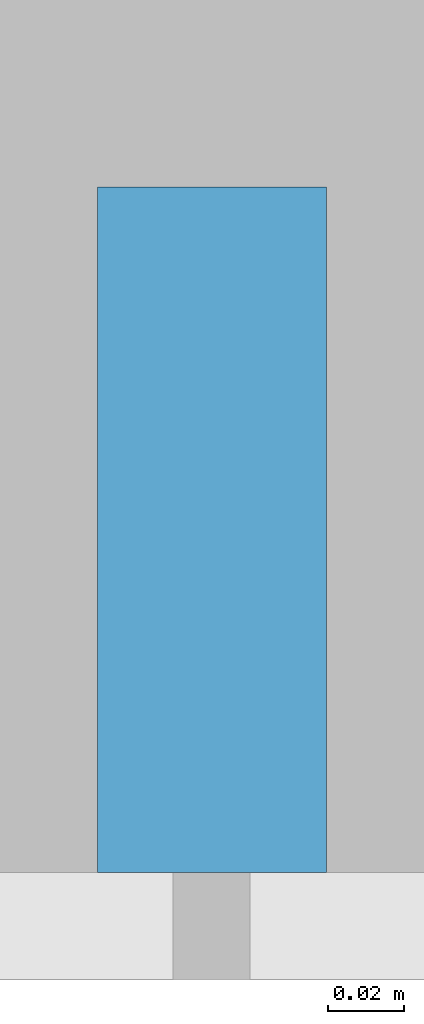
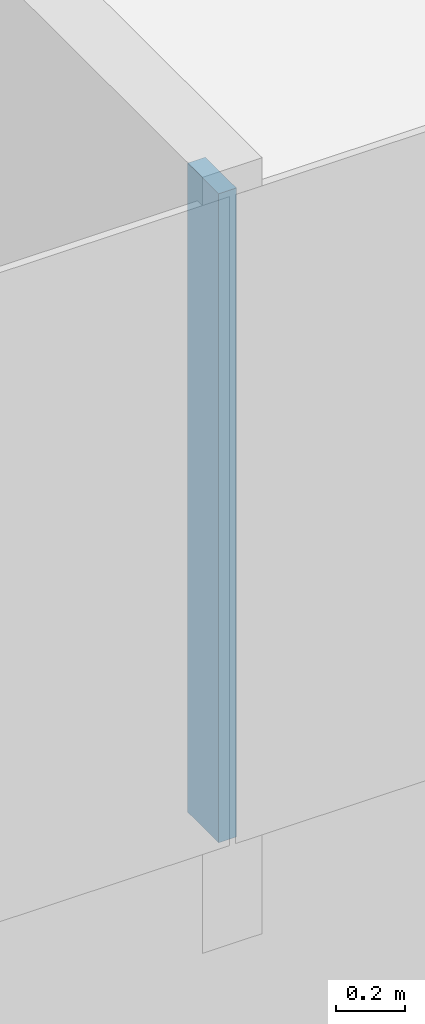
# One storey, part 3 of 26: 1 member, 1 element without a shape of its own.
"""IFC4 building model written with IfcOpenShell, lengths in metres."""

import ifcopenshell
import ifcopenshell.guid

model = None  # the IFC model being written
_history = None  # IfcOwnerHistory: only IFC2X3 demands one
_inside = {}  # id of a spatial element -> (the spatial element, [elements in it])
_under = {}  # id of a project, library or spatial element -> (it, [spatial elements below it])
_declared = {}  # id of a project -> (the project, [libraries it declares])
_typed = {}  # id of a type object -> (the type object, [elements of that type])
_made_of = {}  # id of a material, layer set ... -> (it, [elements and type objects made of it])


def new_model(schema):
    """Start an empty IFC model of exactly this schema.

    Asked for "IFC4X3", IfcOpenShell would pick the latest addendum, in which some entities
    have other attributes; the version numbers below select the first issue.
    IFC2X3 requires an IfcOwnerHistory on every rooted entity: one is made here for all.
    """
    global model, _history
    if schema == "IFC4X3":
        model = ifcopenshell.file(schema_version=(4, 3, 0, 0))
    else:
        model = ifcopenshell.file(schema=schema)
    _inside.clear()
    _under.clear()
    _declared.clear()
    _typed.clear()
    _made_of.clear()
    _history = None
    if model.schema == "IFC2X3":
        org = make("IfcOrganization", Name="unknown")
        user = make(
            "IfcPersonAndOrganization",
            ThePerson=make("IfcPerson", FamilyName="unknown"),
            TheOrganization=org,
        )
        app = make(
            "IfcApplication",
            ApplicationDeveloper=org,
            Version="unknown",
            ApplicationFullName="unknown",
            ApplicationIdentifier="unknown",
        )
        _history = make(
            "IfcOwnerHistory",
            OwningUser=user,
            OwningApplication=app,
            ChangeAction="ADDED",
            CreationDate=0,
        )
    return model


def make(cls, **values):
    """One entity of the class cls with the attributes given. An attribute that is None is left unset."""
    return model.create_entity(
        cls, **{name: value for name, value in values.items() if value is not None}
    )


def rooted(cls, **values):
    """An entity with a GlobalId (a new one), such as an element, a storey or a relation."""
    return make(cls, GlobalId=ifcopenshell.guid.new(), OwnerHistory=_history, **values)


def si_unit(unit_type, name, prefix=None):
    """IfcSIUnit, for example si_unit("LENGTHUNIT", "METRE", prefix="MILLI")."""
    return make("IfcSIUnit", UnitType=unit_type, Prefix=prefix, Name=name)


def assignment(units):
    """IfcUnitAssignment: the units of a project."""
    return None if units is None else make("IfcUnitAssignment", Units=units)


def point(xyz):
    """IfcCartesianPoint."""
    return None if xyz is None else make("IfcCartesianPoint", Coordinates=xyz)


def direction(xyz):
    """IfcDirection."""
    return None if xyz is None else make("IfcDirection", DirectionRatios=xyz)


def frame(location, z_axis=None, x_axis=None):
    """IfcAxis2Placement3D, a coordinate frame: its origin and axes. An axis left out is left unset."""
    return make(
        "IfcAxis2Placement3D",
        Location=point(location),
        Axis=direction(z_axis),
        RefDirection=direction(x_axis),
    )


def frame_2d(location, x_axis=None):
    """IfcAxis2Placement2D, a coordinate frame in the plane: its origin and x axis."""
    return make(
        "IfcAxis2Placement2D", Location=point(location), RefDirection=direction(x_axis)
    )


def origin():
    """The frame at (0, 0, 0) with its axes left unset."""
    return frame((0.0, 0.0, 0.0))


def origin_2d():
    """The frame at (0, 0) in the plane with its x axis left unset."""
    return frame_2d((0.0, 0.0))


def place(relative_to, where):
    """IfcLocalPlacement: puts the frame where relative to a parent placement (None: the world)."""
    return make(
        "IfcLocalPlacement", PlacementRelTo=relative_to, RelativePlacement=where
    )


def context(
    kind, dimensions, precision=None, world=None, true_north=None, identifier=None
):
    """IfcGeometricRepresentationContext, for example the 3D "Model" context."""
    return make(
        "IfcGeometricRepresentationContext",
        ContextIdentifier=identifier,
        ContextType=kind,
        CoordinateSpaceDimension=dimensions,
        Precision=precision,
        WorldCoordinateSystem=world,
        TrueNorth=true_north,
    )


def subcontext(parent, identifier, kind, view, scale=None):
    """IfcGeometricRepresentationSubContext, for example "Body" below "Model"."""
    return make(
        "IfcGeometricRepresentationSubContext",
        ContextIdentifier=identifier,
        ContextType=kind,
        ParentContext=parent,
        TargetScale=scale,
        TargetView=view,
    )


def project(units=None, contexts=None):
    """IfcProject with its units and contexts."""
    return rooted(
        "IfcProject",
        Name="project",
        RepresentationContexts=contexts,
        UnitsInContext=assignment(units),
    )


def spatial(cls, under=None, at=None, **own):
    """A site, building, storey or space (cls), placed at a placement, below another one or the project."""
    s = rooted(cls, ObjectPlacement=at, **own)
    if under is not None:
        _under.setdefault(under.id(), (under, []))[1].append(s)
    return s


def profile(cls, at=None, kind="AREA", **sizes):
    """A parametric profile (cls). Its sizes go by their IFC names, for example OverallWidth=200.0."""
    return make(cls, ProfileType=kind, Position=at, **sizes)


def rectangle(**sizes):
    """IfcRectangleProfileDef."""
    return profile("IfcRectangleProfileDef", **sizes)


def extrude(swept, where, along, depth):
    """IfcExtrudedAreaSolid: the profile swept, set in the frame where, extruded along a direction by depth."""
    return make(
        "IfcExtrudedAreaSolid",
        SweptArea=swept,
        Position=where,
        ExtrudedDirection=direction(along),
        Depth=depth,
    )


def shape(context_of_items, identifier, shape_type, items):
    """IfcShapeRepresentation: the items that make up one representation, for example the "Body"."""
    return make(
        "IfcShapeRepresentation",
        ContextOfItems=context_of_items,
        RepresentationIdentifier=identifier,
        RepresentationType=shape_type,
        Items=items,
    )


def material(Name=None, Category=None):
    """IfcMaterial."""
    return make("IfcMaterial", Name=Name, Category=Category)


def layer(
    of_material, thickness, ventilated=None, Name=None, Category=None, Priority=None
):
    """IfcMaterialLayer: one layer of a wall or slab, of a material (None: an air gap)."""
    return make(
        "IfcMaterialLayer",
        Material=of_material,
        LayerThickness=thickness,
        IsVentilated=ventilated,
        Name=Name,
        Category=Category,
        Priority=Priority,
    )


def layer_set(layers, Name=None):
    """IfcMaterialLayerSet."""
    return make("IfcMaterialLayerSet", MaterialLayers=layers, LayerSetName=Name)


def material_profile(
    of_material, cross_section, Name=None, Category=None, Priority=None
):
    """IfcMaterialProfile: a cross section and its material."""
    return make(
        "IfcMaterialProfile",
        Name=Name,
        Material=of_material,
        Profile=cross_section,
        Priority=Priority,
        Category=Category,
    )


def profile_set(profiles, Name=None, composite=None):
    """IfcMaterialProfileSet."""
    return make(
        "IfcMaterialProfileSet",
        Name=Name,
        MaterialProfiles=profiles,
        CompositeProfile=composite,
    )


def made_of(thing, what):
    """Note that an element or type object is made of a material, layer set ...; save() writes the relation."""
    if what is not None:
        _made_of.setdefault(what.id(), (what, []))[1].append(thing)
    return thing


def type_object(cls, material=None, **own):
    """A type object (cls), such as IfcWallType, which elements share."""
    return made_of(rooted(cls, **own), material)


def element(
    cls,
    number,
    at=None,
    inside=None,
    cuts=None,
    type_object=None,
    material=None,
    context=None,
    identifier="Body",
    shape_type=None,
    held_by="IfcProductDefinitionShape",
    body=None,
    shapes=None,
    **own,
):
    """One element of the class cls, such as IfcWall. Its Tag is "e" and its number.

    at: its placement. inside: the storey or other place that contains it. cuts: it is an
    opening in that element (IfcRelVoidsElement). A single representation is given by context,
    identifier, shape_type and body (its items); several are given by shapes. held_by: the class
    of the entity that holds the representations. save() writes the other relations.
    """
    e = rooted(cls, Tag="e%d" % number, ObjectPlacement=at, **own)
    if body is not None:
        shapes = [shape(context, identifier, shape_type, body)]
    if shapes is not None:
        e.Representation = make(held_by, Representations=shapes)
    if inside is not None:
        _inside.setdefault(inside.id(), (inside, []))[1].append(e)
    if cuts is not None:
        rooted(
            "IfcRelVoidsElement", RelatingBuildingElement=cuts, RelatedOpeningElement=e
        )
    if type_object is not None:
        _typed.setdefault(type_object.id(), (type_object, []))[1].append(e)
    return made_of(e, material)


def aggregate(whole, parts):
    """IfcRelAggregates: a whole, such as a stair, and the parts it consists of."""
    return rooted("IfcRelAggregates", RelatingObject=whole, RelatedObjects=parts)


def save(model, path):
    """Write the relations noted so far, then the file.

    IfcRelAggregates (storeys below a building ...), IfcRelContainedInSpatialStructure (elements
    in a storey), IfcRelDefinesByType, IfcRelAssociatesMaterial and IfcRelDeclares: one each for
    every whole, place, type object, material and project.
    """
    for whole, parts in _under.values():
        aggregate(whole, parts)
    for where, things in _inside.values():
        rooted(
            "IfcRelContainedInSpatialStructure",
            RelatedElements=things,
            RelatingStructure=where,
        )
    for kind, things in _typed.values():
        rooted("IfcRelDefinesByType", RelatedObjects=things, RelatingType=kind)
    for what, things in _made_of.values():
        rooted("IfcRelAssociatesMaterial", RelatedObjects=things, RelatingMaterial=what)
    for by, libraries in _declared.values():
        rooted("IfcRelDeclares", RelatingContext=by, RelatedDefinitions=libraries)
    model.write(path)


model = new_model("IFC4")

# Units and contexts
model_context = context("Model", 3, precision=1e-05, world=origin(), true_north=direction((0.0, 1.0)))
body_context = subcontext(model_context, "Body", "Model", "MODEL_VIEW")
ifc_project = project(units=[si_unit("LENGTHUNIT", "METRE"), si_unit("AREAUNIT", "SQUARE_METRE"), si_unit("VOLUMEUNIT", "CUBIC_METRE"), si_unit("PLANEANGLEUNIT", "RADIAN"), si_unit("MASSUNIT", "GRAM", prefix="KILO")], contexts=[model_context])

# Site, building, storey
site_placement = place(None, origin())
site = spatial("IfcSite", under=ifc_project, at=site_placement, CompositionType="ELEMENT")
building_placement = place(site_placement, origin())
building = spatial("IfcBuilding", under=site, at=building_placement, Name="Hakoniwa Tower and Hamabe Station Hall", CompositionType="ELEMENT")
storey_placement = place(building_placement, frame((0.0, 0.0, 169.39990234375)))
storey = spatial("IfcBuildingStorey", under=building, at=storey_placement, Name="L48", CompositionType="ELEMENT", Elevation=169.39990234375)

# Curtain wall, member
ifc_material_1 = material(Name="Dark low-e laminated glass", Category="glass")
ifc_layer = layer(ifc_material_1, 0.199951171875)
ifc_layer_set = layer_set([ifc_layer], Name="CW-1 UNITISED GUEST")
curtain_wall_type = type_object("IfcCurtainWallType", Name="CW-1 UNITISED GUEST", PredefinedType="NOTDEFINED", material=ifc_layer_set)
curtain_wall_placement = place(storey_placement, origin())
curtain_wall = element("IfcCurtainWall", 1, at=curtain_wall_placement, inside=storey, type_object=curtain_wall_type, Name="CW-1 curtain wall", PredefinedType="NOTDEFINED")
ifc_material_2 = material(Name="Aluminium 6063-T5 black anodised", Category="aluminium")
ifc_material_profile = material_profile(ifc_material_2, rectangle(XDim=0.06005859375, YDim=0.179931640625, at=origin_2d()), Name="CW-1 MULLION 60X180")
ifc_profile_set = profile_set([ifc_material_profile], Name="Aluminium 6063-T5 black anodised")
member_type = type_object("IfcMemberType", Name="CW-1 MULLION 60X180", PredefinedType="MULLION", material=ifc_profile_set)
member_placement = place(storey_placement, frame((-8.39990234375, -19.181884765625, 0.35009765625), z_axis=(0.0, 0.0, 1.0), x_axis=(1.0, 0.0, 0.0)))
member = element("IfcMember", 2, at=member_placement, type_object=member_type, Name="CW-1 mullion", PredefinedType="MULLION", context=body_context, shape_type="SweptSolid", body=[
    extrude(rectangle(XDim=0.06005859375, YDim=0.179931640625, at=origin_2d()), origin(), (0.0, 0.0, 1.0), 2.300048828125),
])
aggregate(curtain_wall, [member])

save(model, "model.ifc")
